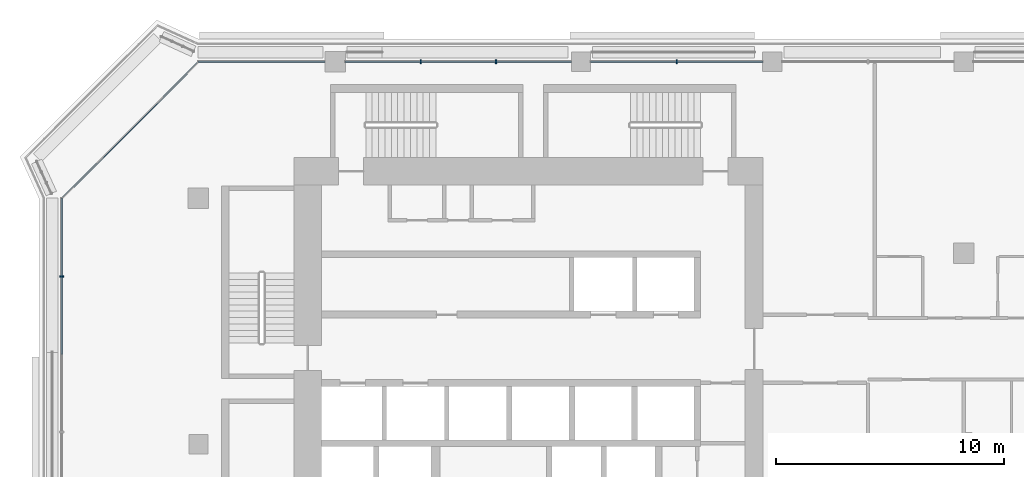
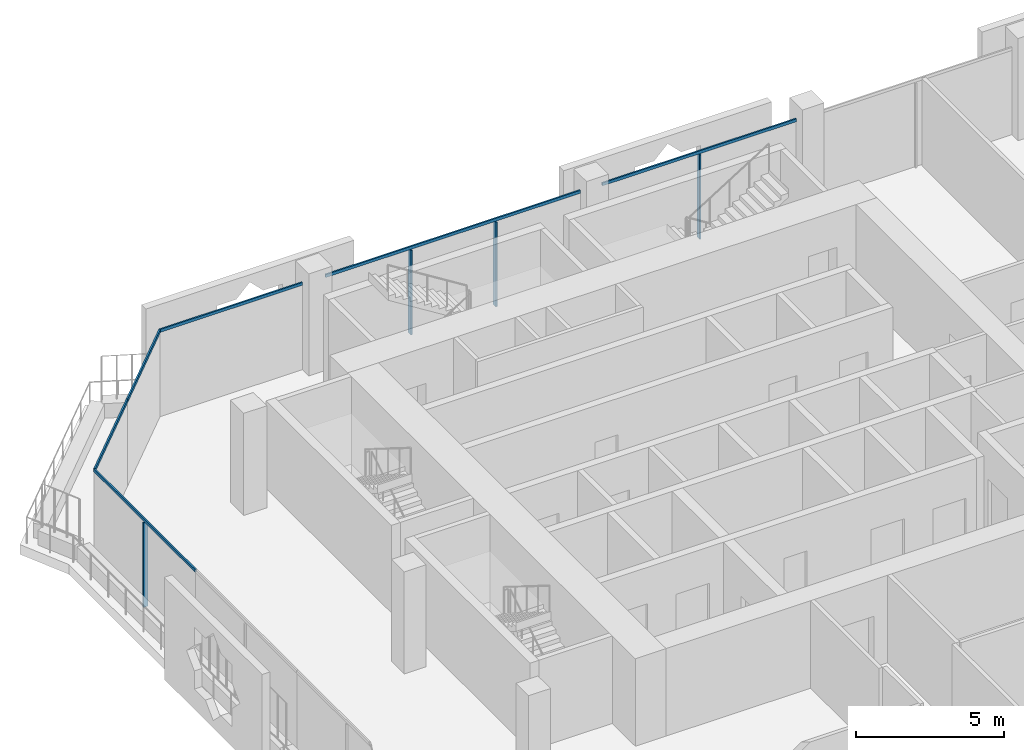
# One storey, part 5 of 23: 10 members, 3 elements without a shape of their own.
"""IFC4 building model written with IfcOpenShell, lengths in metres."""

from ifc_helpers import new_model, si_unit, direction, frame, origin, origin_2d, place, context, subcontext, project, spatial, rectangle, extrude, material, layer, layer_set, material_profile, profile_set, type_object, element, aggregate, save


model = new_model("IFC4")

# Units and contexts
model_context = context("Model", 3, precision=1e-05, world=origin(), true_north=direction((0.0, 1.0)))
body_context = subcontext(model_context, "Body", "Model", "MODEL_VIEW")
ifc_project = project(units=[si_unit("LENGTHUNIT", "METRE"), si_unit("AREAUNIT", "SQUARE_METRE"), si_unit("VOLUMEUNIT", "CUBIC_METRE"), si_unit("PLANEANGLEUNIT", "RADIAN"), si_unit("MASSUNIT", "GRAM", prefix="KILO")], contexts=[model_context])

# Site, building, storey
site_placement = place(None, origin())
site = spatial("IfcSite", under=ifc_project, at=site_placement, CompositionType="ELEMENT")
building_placement = place(site_placement, origin())
building = spatial("IfcBuilding", under=site, at=building_placement, Name="Kawkab Arch Medical Tower", CompositionType="ELEMENT")
storey_placement = place(building_placement, frame((0.0, 0.0, 247.39990234375)))
storey = spatial("IfcBuildingStorey", under=building, at=storey_placement, Name="L57", CompositionType="ELEMENT", Elevation=247.39990234375)

# Curtain wall, member
ifc_material_1 = material(Name="Bronze anodised aluminium curtain wall frame", Category="aluminium")
ifc_layer_1 = layer(ifc_material_1, 0.159912109375)
ifc_layer_set_1 = layer_set([ifc_layer_1], Name="Bronze anodised aluminium curtain wall frame")
curtain_wall_type_1 = type_object("IfcCurtainWallType", Name="CW1 ward curtain wall", PredefinedType="NOTDEFINED", material=ifc_layer_set_1)
placement = place(storey_placement, origin())
curtain_wall_1 = element("IfcCurtainWall", 1, at=placement, inside=storey, type_object=curtain_wall_type_1, Name="CW1 Ward curtain wall R01", PredefinedType="NOTDEFINED")
ifc_material_2 = material(Name="Bronze anodised aluminium curtain wall frame", Category="aluminium")
ifc_material_profile_1 = material_profile(ifc_material_2, rectangle(XDim=0.179931640625, YDim=0.06005859375, at=origin_2d()), Name="AL 60x180")
ifc_profile_set_1 = profile_set([ifc_material_profile_1], Name="Bronze anodised aluminium curtain wall frame")
member_type_1 = type_object("IfcMemberType", Name="CW1 mullion 60 x 180", PredefinedType="MULLION", material=ifc_profile_set_1)
member_1_placement = place(storey_placement, frame((-6.0, -9.419921875, 0.0), z_axis=(0.0, 0.0, 1.0), x_axis=(1.0, 0.0, 0.0)))
member_1 = element("IfcMember", 2, at=member_1_placement, type_object=member_type_1, Name="CW1 mullion 1.1", PredefinedType="MULLION", context=body_context, shape_type="SweptSolid", body=[
    extrude(rectangle(XDim=0.179931640625, YDim=0.06005859375, at=origin_2d()), origin(), (0.0, 0.0, 1.0), 3.47998046875),
])

# Curtain wall, members
curtain_wall_2 = element("IfcCurtainWall", 3, at=placement, inside=storey, type_object=curtain_wall_type_1, Name="CW1 Ward curtain wall R11", PredefinedType="NOTDEFINED")
member_2_placement = place(storey_placement, frame((21.0, 0.0, 0.0), z_axis=(0.0, 0.0, 1.0), x_axis=(0.0, -1.0, 0.0)))
member_2 = element("IfcMember", 4, at=member_2_placement, type_object=member_type_1, Name="CW1 mullion 5.1", PredefinedType="MULLION", context=body_context, shape_type="SweptSolid", body=[
    extrude(rectangle(XDim=0.179931640625, YDim=0.06005859375, at=origin_2d()), origin(), (0.0, 0.0, 1.0), 3.47998046875),
])
member_3_placement = place(storey_placement, frame((13.066650390625, 0.0, 0.0), z_axis=(0.0, 0.0, 1.0), x_axis=(0.0, -1.0, 0.0)))
member_3 = element("IfcMember", 5, at=member_3_placement, type_object=member_type_1, Name="CW1 mullion 6.1", PredefinedType="MULLION", context=body_context, shape_type="SweptSolid", body=[
    extrude(rectangle(XDim=0.179931640625, YDim=0.06005859375, at=origin_2d()), origin(), (0.0, 0.0, 1.0), 3.47998046875),
])
member_4_placement = place(storey_placement, frame((9.75830078125, 0.0, 0.0), z_axis=(0.0, 0.0, 1.0), x_axis=(0.0, -1.0, 0.0)))
member_4 = element("IfcMember", 6, at=member_4_placement, type_object=member_type_1, Name="CW1 mullion 6.2", PredefinedType="MULLION", context=body_context, shape_type="SweptSolid", body=[
    extrude(rectangle(XDim=0.179931640625, YDim=0.06005859375, at=origin_2d()), origin(), (0.0, 0.0, 1.0), 3.47998046875),
])

# Member
ifc_material_3 = material(Name="Bronze anodised aluminium curtain wall frame", Category="aluminium")
ifc_material_profile_2 = material_profile(ifc_material_3, rectangle(XDim=0.06005859375, YDim=0.1201171875, at=origin_2d()), Name="AL 60x120")
ifc_profile_set_2 = profile_set([ifc_material_profile_2], Name="Bronze anodised aluminium curtain wall frame")
member_type_2 = type_object("IfcMemberType", Name="CW1 transom 120 x 60", PredefinedType="USERDEFINED", material=ifc_profile_set_2)
member_5_placement = place(storey_placement, frame((-6.0, -6.0, 3.5400390625), z_axis=(0.0, -1.0, 0.0), x_axis=(1.0, 0.0, 0.0)))
member_5 = element("IfcMember", 7, at=member_5_placement, type_object=member_type_2, Name="CW1 transom 1", ObjectType="TRANSOM", PredefinedType="USERDEFINED", context=body_context, shape_type="SweptSolid", body=[
    extrude(rectangle(XDim=0.06005859375, YDim=0.1201171875, at=origin_2d()), origin(), (0.0, 0.0, 1.0), 6.840087890625),
])

aggregate(curtain_wall_1, [member_5, member_1])

member_6_placement = place(storey_placement, frame((24.77490234375, 0.0, 3.5400390625), z_axis=(-1.0, 0.0, 0.0), x_axis=(0.0, -1.0, 0.0)))
member_6 = element("IfcMember", 8, at=member_6_placement, type_object=member_type_2, Name="CW1 transom 5", ObjectType="TRANSOM", PredefinedType="USERDEFINED", context=body_context, shape_type="SweptSolid", body=[
    extrude(rectangle(XDim=0.06005859375, YDim=0.1201171875, at=origin_2d()), origin(), (0.0, 0.0, 1.0), 7.5498046875),
])

member_7_placement = place(storey_placement, frame((16.375, 0.0, 3.5400390625), z_axis=(-1.0, 0.0, 0.0), x_axis=(0.0, -1.0, 0.0)))
member_7 = element("IfcMember", 9, at=member_7_placement, type_object=member_type_2, Name="CW1 transom 6", ObjectType="TRANSOM", PredefinedType="USERDEFINED", context=body_context, shape_type="SweptSolid", body=[
    extrude(rectangle(XDim=0.06005859375, YDim=0.1201171875, at=origin_2d()), origin(), (0.0, 0.0, 1.0), 9.925048828125),
])

member_8_placement = place(storey_placement, frame((5.550048828125, 0.0, 3.5400390625), z_axis=(-1.0, 0.0, 0.0), x_axis=(0.0, -1.0, 0.0)))
member_8 = element("IfcMember", 10, at=member_8_placement, type_object=member_type_2, Name="CW1 transom 7", ObjectType="TRANSOM", PredefinedType="USERDEFINED", context=body_context, shape_type="SweptSolid", body=[
    extrude(rectangle(XDim=0.06005859375, YDim=0.1201171875, at=origin_2d()), origin(), (0.0, 0.0, 1.0), 5.550048828125),
])

aggregate(curtain_wall_2, [member_6, member_2, member_7, member_3, member_4, member_8])

# Curtain wall, members
ifc_material_4 = material(Name="Bronze anodised aluminium curtain wall frame", Category="aluminium")
ifc_layer_2 = layer(ifc_material_4, 0.159912109375)
ifc_layer_set_2 = layer_set([ifc_layer_2], Name="Bronze anodised aluminium curtain wall frame")
curtain_wall_type_2 = type_object("IfcCurtainWallType", Name="CW2 chamfer curtain wall", PredefinedType="NOTDEFINED", material=ifc_layer_set_2)
curtain_wall_3 = element("IfcCurtainWall", 11, at=placement, inside=storey, type_object=curtain_wall_type_2, Name="CW2 Chamfer curtain wall R12", PredefinedType="NOTDEFINED")
ifc_material_5 = material(Name="Bronze anodised aluminium curtain wall frame", Category="aluminium")
ifc_material_profile_3 = material_profile(ifc_material_5, rectangle(XDim=0.06005859375, YDim=0.139892578125, at=origin_2d()), Name="AL 60x140")
ifc_profile_set_3 = profile_set([ifc_material_profile_3], Name="Bronze anodised aluminium curtain wall frame")
member_type_3 = type_object("IfcMemberType", Name="CW2 transom 140 x 60", PredefinedType="USERDEFINED", material=ifc_profile_set_3)
member_9_placement = place(storey_placement, frame((0.0, 0.0, 3.530029296875), z_axis=(-0.707106781187, -0.707106781187, 0.0), x_axis=(0.707106781187, -0.707106781187, 0.0)))
member_9 = element("IfcMember", 12, at=member_9_placement, type_object=member_type_3, Name="CW2 transom 1", ObjectType="TRANSOM", PredefinedType="USERDEFINED", context=body_context, shape_type="SweptSolid", body=[
    extrude(rectangle(XDim=0.06005859375, YDim=0.139892578125, at=origin_2d()), origin(), (0.0, 0.0, 1.0), 4.24267578125),
])
member_10_placement = place(storey_placement, frame((-3.0, -3.0, 3.530029296875), z_axis=(-0.707106781187, -0.707106781187, 0.0), x_axis=(0.707106781187, -0.707106781187, 0.0)))
member_10 = element("IfcMember", 13, at=member_10_placement, type_object=member_type_3, Name="CW2 transom 2", ObjectType="TRANSOM", PredefinedType="USERDEFINED", context=body_context, shape_type="SweptSolid", body=[
    extrude(rectangle(XDim=0.06005859375, YDim=0.139892578125, at=origin_2d()), origin(), (0.0, 0.0, 1.0), 4.24267578125),
])
aggregate(curtain_wall_3, [member_9, member_10])

save(model, "model.ifc")
